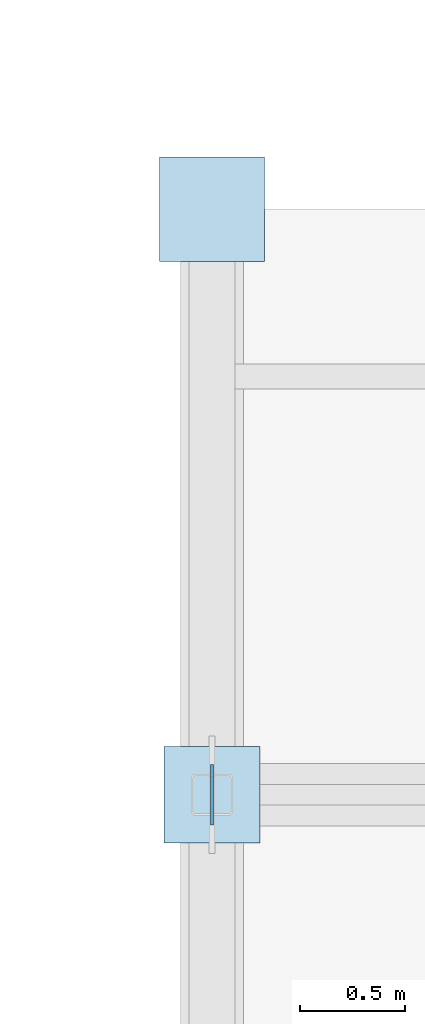
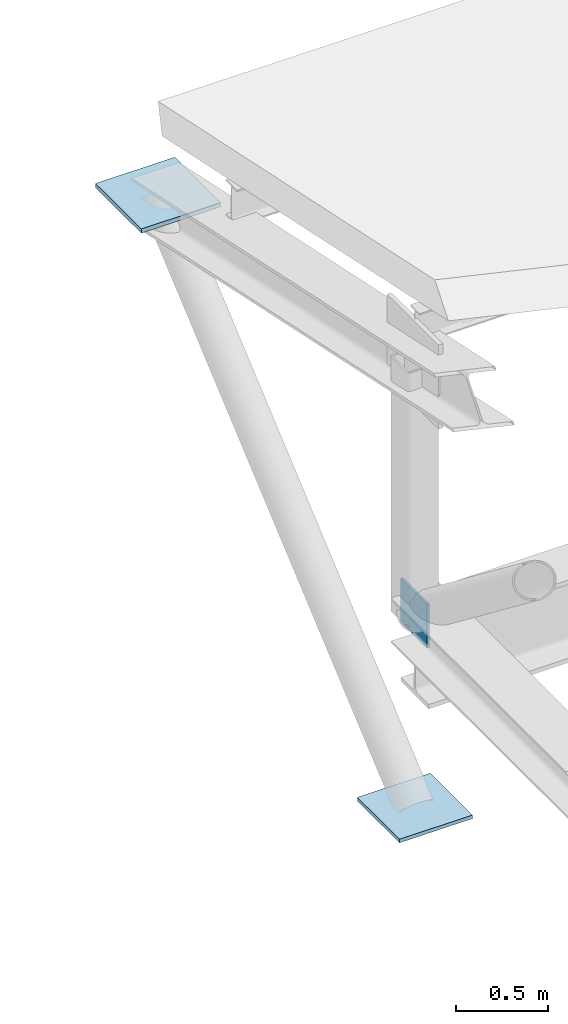
# One storey, part 35 of 43: 3 plates.
"""IFC4 building model written with IfcOpenShell, lengths in metres."""

from ifc_helpers import new_model, si_unit, direction, frame, origin, origin_2d, place, context, subcontext, project, spatial, rectangle, extrude, material, layer, layer_set, type_object, element, save


model = new_model("IFC4")

# Units and contexts
model_context = context("Model", 3, precision=1e-05, world=origin(), true_north=direction((0.0, 1.0)))
body_context = subcontext(model_context, "Body", "Model", "MODEL_VIEW")
ifc_project = project(units=[si_unit("LENGTHUNIT", "METRE"), si_unit("AREAUNIT", "SQUARE_METRE"), si_unit("VOLUMEUNIT", "CUBIC_METRE"), si_unit("PLANEANGLEUNIT", "RADIAN"), si_unit("MASSUNIT", "GRAM", prefix="KILO")], contexts=[model_context])

# Site, building, storey
site_placement = place(None, origin())
site = spatial("IfcSite", under=ifc_project, at=site_placement, CompositionType="ELEMENT")
building_placement = place(site_placement, origin())
building = spatial("IfcBuilding", under=site, at=building_placement, Name="Serraforn Aerial Cableway Station", CompositionType="ELEMENT")
storey_placement = place(building_placement, frame((0.0, 0.0, 18.300048828125)))
storey = spatial("IfcBuildingStorey", under=building, at=storey_placement, Name="RF", CompositionType="ELEMENT", Elevation=18.300048828125)

# Plates
ifc_material = material(Name="Steel S355J2", Category="steel")
ifc_layer_1 = layer(ifc_material, 0.014892578125)
ifc_layer_set_1 = layer_set([ifc_layer_1], Name="Steel S355J2")
plate_type_1 = type_object("IfcPlateType", Name="PLT-CAP-15", PredefinedType="USERDEFINED", material=ifc_layer_set_1)
plate_1_placement = place(storey_placement, frame((27.60009765625, 42.0, -1.4951171875), z_axis=(0.0, 0.0, 1.0), x_axis=(1.0, 0.0, 0.0)))
element("IfcPlate", 1, at=plate_1_placement, inside=storey, type_object=plate_type_1, Name="Truss Bottom Node Cap TR-01-9", ObjectType="CAP PLATE", PredefinedType="USERDEFINED", context=body_context, shape_type="SweptSolid", body=[
    extrude(rectangle(XDim=0.014892578125, YDim=0.2900390625, at=origin_2d()), origin(), (0.0, 0.0, 1.0), 0.2900390625),
])
ifc_layer_2 = layer(ifc_material, 0.02392578125)
ifc_layer_set_2 = layer_set([ifc_layer_2], Name="Steel S355J2")
plate_type_2 = type_object("IfcPlateType", Name="PLT-CAP-24", PredefinedType="USERDEFINED", material=ifc_layer_set_2)
plate_2_placement = place(storey_placement, frame((27.60009765625, 42.0, -2.662109375), z_axis=(0.0, 0.0, 1.0), x_axis=(1.0, 0.0, 0.0)))
element("IfcPlate", 2, at=plate_2_placement, inside=storey, type_object=plate_type_2, Name="Truss Eave Column Gusset TR-01-EN", ObjectType="CAP PLATE", PredefinedType="USERDEFINED", context=body_context, shape_type="SweptSolid", body=[
    extrude(rectangle(XDim=0.4599609375, YDim=0.4599609375, at=origin_2d()), origin(), (0.0, 0.0, 1.0), 0.02392578125),
])
ifc_layer_3 = layer(ifc_material, 0.028076171875)
ifc_layer_set_3 = layer_set([ifc_layer_3], Name="Steel S355J2")
plate_type_3 = type_object("IfcPlateType", Name="PLT-CAP-28", PredefinedType="USERDEFINED", material=ifc_layer_set_3)
plate_3_placement = place(storey_placement, frame((27.60009765625, 44.800048828125, -0.2841796875), z_axis=(0.0, 0.0, 1.0), x_axis=(1.0, 0.0, 0.0)))
element("IfcPlate", 3, at=plate_3_placement, inside=storey, type_object=plate_type_3, Name="Truss Eave Tip Cap Plate TR-01-EN", ObjectType="CAP PLATE", PredefinedType="USERDEFINED", context=body_context, shape_type="SweptSolid", body=[
    extrude(rectangle(XDim=0.5, YDim=0.5, at=origin_2d()), origin(), (0.0, 0.0, 1.0), 0.028076171875),
])

save(model, "model.ifc")
